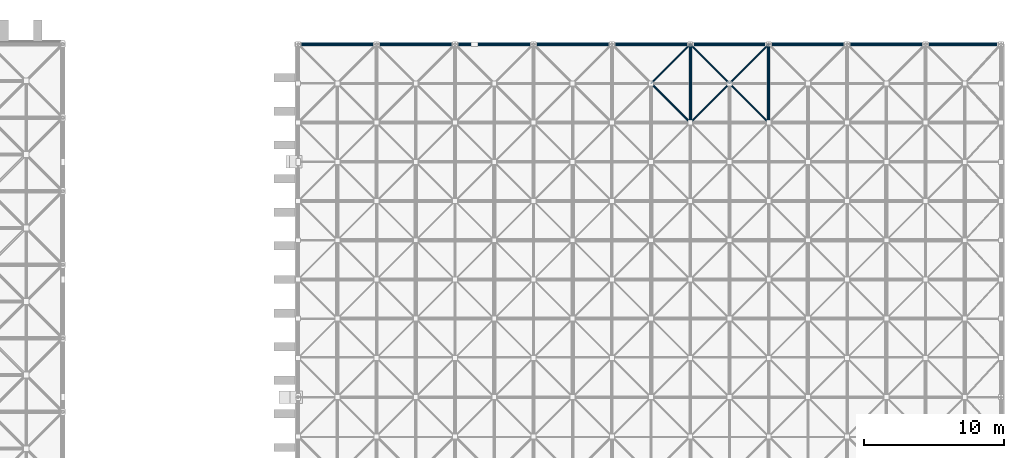
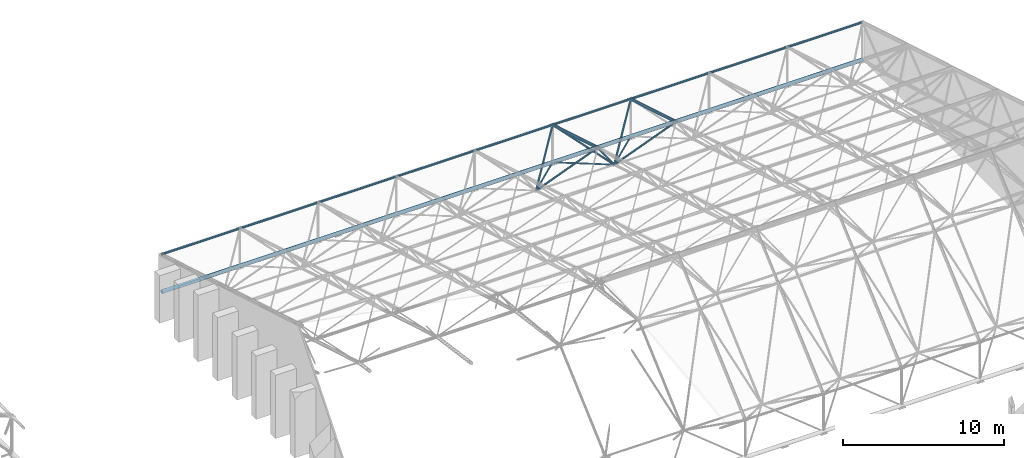
# One storey, part 43 of 100: 13 members.
"""IFC4 building model written with IfcOpenShell, lengths in metres."""

from ifc_helpers import new_model, si_unit, direction, frame, origin, origin_2d, place, context, subcontext, project, spatial, hollow_circle, extrude, material, material_profile, profile_set, type_object, element, save


model = new_model("IFC4")

# Units and contexts
model_context = context("Model", 3, precision=1e-05, world=origin(), true_north=direction((0.0, 1.0)))
body_context = subcontext(model_context, "Body", "Model", "MODEL_VIEW")
ifc_project = project(units=[si_unit("LENGTHUNIT", "METRE"), si_unit("AREAUNIT", "SQUARE_METRE"), si_unit("VOLUMEUNIT", "CUBIC_METRE"), si_unit("PLANEANGLEUNIT", "RADIAN"), si_unit("MASSUNIT", "GRAM", prefix="KILO")], contexts=[model_context])

# Site, building, storey
site_placement = place(None, origin())
site = spatial("IfcSite", under=ifc_project, at=site_placement, CompositionType="ELEMENT")
building_placement = place(site_placement, origin())
building = spatial("IfcBuilding", under=site, at=building_placement, Name="Kiln Court Media Centre", CompositionType="ELEMENT")
storey_placement = place(building_placement, frame((0.0, 0.0, 15.0)))
storey = spatial("IfcBuildingStorey", under=building, at=storey_placement, Name="L03", CompositionType="ELEMENT", Elevation=15.0)

# Members
ifc_material_1 = material(Name="Steel ASTM A500 Gr C", Category="steel")
ifc_material_profile_1 = material_profile(ifc_material_1, hollow_circle(Radius=0.05712890625, WallThickness=0.0048828125, at=origin_2d()), Name="CHS 114.3x5.0")
ifc_profile_set_1 = profile_set([ifc_material_profile_1], Name="Steel ASTM A500 Gr C")
member_type_1 = type_object("IfcMemberType", Name="Steel ASTM A500 Gr C CHS 114.3x5.0 space frame brace", PredefinedType="BRACE", material=ifc_profile_set_1)
member_1_placement = place(storey_placement, frame((145.60009765625, 67.199951171875, 0.16455078125), z_axis=(-0.700650262178, -0.700650262178, 0.134827371927), x_axis=(0.707106781187, -0.707106781187, 0.0)))
element("IfcMember", 1, at=member_1_placement, inside=storey, type_object=member_type_1, Name="V2 roof bearing tie last 6 space frame brace", PredefinedType="BRACE", context=body_context, shape_type="SweptSolid", body=[
    extrude(hollow_circle(Radius=0.05712890625, WallThickness=0.0048828125, at=origin_2d()), origin(), (0.0, 0.0, 1.0), 3.996337890625),
])
member_2_placement = place(storey_placement, frame((145.60009765625, 67.199951171875, 0.16455078125), z_axis=(0.700619159519, -0.700680252923, 0.134833143099), x_axis=(0.70713760873, 0.707075952299, 0.0)))
element("IfcMember", 2, at=member_2_placement, inside=storey, type_object=member_type_1, Name="V2 roof bearing tie last 6 space frame brace", PredefinedType="BRACE", context=body_context, shape_type="SweptSolid", body=[
    extrude(hollow_circle(Radius=0.05712890625, WallThickness=0.0048828125, at=origin_2d()), origin(), (0.0, 0.0, 1.0), 3.99609375),
])
member_3_placement = place(storey_placement, frame((151.199951171875, 67.199951171875, 0.16455078125), z_axis=(-0.700650262178, -0.700650262178, 0.134827371927), x_axis=(0.707106781187, -0.707106781187, 0.0)))
element("IfcMember", 3, at=member_3_placement, inside=storey, type_object=member_type_1, Name="V2 roof bearing tie last 7 space frame brace", PredefinedType="BRACE", context=body_context, shape_type="SweptSolid", body=[
    extrude(hollow_circle(Radius=0.05712890625, WallThickness=0.0048828125, at=origin_2d()), origin(), (0.0, 0.0, 1.0), 3.996337890625),
])
ifc_material_2 = material(Name="Steel ASTM A500 Gr C", Category="steel")
ifc_material_profile_2 = material_profile(ifc_material_2, hollow_circle(Radius=0.06982421875, WallThickness=0.0048828125, at=origin_2d()), Name="CHS 139.7x5.0")
ifc_profile_set_2 = profile_set([ifc_material_profile_2], Name="Steel ASTM A500 Gr C")
member_type_2 = type_object("IfcMemberType", Name="Steel ASTM A500 Gr C CHS 139.7x5.0 space frame brace", PredefinedType="BRACE", material=ifc_profile_set_2)
member_4_placement = place(storey_placement, frame((142.800048828125, 64.39990234375, 0.703369140625), z_axis=(0.499789216589, -0.499745639188, 0.707435534232), x_axis=(0.707075952299, 0.70713760873, 0.0)))
element("IfcMember", 4, at=member_4_placement, inside=storey, type_object=member_type_2, Name="V2 roof diagonal 6-5 space frame brace", PredefinedType="BRACE", context=body_context, shape_type="SweptSolid", body=[
    extrude(hollow_circle(Radius=0.06982421875, WallThickness=0.0048828125, at=origin_2d()), origin(), (0.0, 0.0, 1.0), 5.6025390625),
])
member_5_placement = place(storey_placement, frame((142.800048828125, 64.39990234375, 0.703369140625), z_axis=(0.611675588557, 0.611675588557, 0.501703048353), x_axis=(-0.707106781187, 0.707106781187, 0.0)))
element("IfcMember", 5, at=member_5_placement, inside=storey, type_object=member_type_2, Name="V2 roof diagonal 6-5 space frame brace", PredefinedType="BRACE", context=body_context, shape_type="SweptSolid", body=[
    extrude(hollow_circle(Radius=0.06982421875, WallThickness=0.0048828125, at=origin_2d()), origin(), (0.0, 0.0, 1.0), 4.57763671875),
])
member_6_placement = place(storey_placement, frame((148.39990234375, 64.39990234375, 0.703369140625), z_axis=(-0.499756523287, -0.499756523287, 0.707450941667), x_axis=(0.707106781187, -0.707106781187, 0.0)))
element("IfcMember", 6, at=member_6_placement, inside=storey, type_object=member_type_2, Name="V2 roof diagonal 6-6 space frame brace", PredefinedType="BRACE", context=body_context, shape_type="SweptSolid", body=[
    extrude(hollow_circle(Radius=0.06982421875, WallThickness=0.0048828125, at=origin_2d()), origin(), (0.0, 0.0, 1.0), 5.602294921875),
])
member_7_placement = place(storey_placement, frame((148.39990234375, 64.39990234375, 0.703369140625), z_axis=(-0.611642208339, 0.611695543028, 0.501719415229), x_axis=(-0.70713760873, -0.707075952299, 0.0)))
element("IfcMember", 7, at=member_7_placement, inside=storey, type_object=member_type_2, Name="V2 roof diagonal 6-6 space frame brace", PredefinedType="BRACE", context=body_context, shape_type="SweptSolid", body=[
    extrude(hollow_circle(Radius=0.06982421875, WallThickness=0.0048828125, at=origin_2d()), origin(), (0.0, 0.0, 1.0), 4.57763671875),
])
member_8_placement = place(storey_placement, frame((148.39990234375, 64.39990234375, 0.703369140625), z_axis=(0.499789216589, -0.499745639188, 0.707435534232), x_axis=(0.707075952299, 0.70713760873, 0.0)))
element("IfcMember", 8, at=member_8_placement, inside=storey, type_object=member_type_2, Name="V2 roof diagonal 6-6 space frame brace", PredefinedType="BRACE", context=body_context, shape_type="SweptSolid", body=[
    extrude(hollow_circle(Radius=0.06982421875, WallThickness=0.0048828125, at=origin_2d()), origin(), (0.0, 0.0, 1.0), 5.6025390625),
])
member_9_placement = place(storey_placement, frame((148.39990234375, 64.39990234375, 0.703369140625), z_axis=(0.611675588557, 0.611675588557, 0.501703048353), x_axis=(-0.707106781187, 0.707106781187, 0.0)))
element("IfcMember", 9, at=member_9_placement, inside=storey, type_object=member_type_2, Name="V2 roof diagonal 6-6 space frame brace", PredefinedType="BRACE", context=body_context, shape_type="SweptSolid", body=[
    extrude(hollow_circle(Radius=0.06982421875, WallThickness=0.0048828125, at=origin_2d()), origin(), (0.0, 0.0, 1.0), 4.57763671875),
])
ifc_material_3 = material(Name="Steel ASTM A500 Gr C", Category="steel")
ifc_material_profile_3 = material_profile(ifc_material_3, hollow_circle(Radius=0.084228515625, WallThickness=0.00634765625, at=origin_2d()), Name="CHS 168.3x6.3")
ifc_profile_set_3 = profile_set([ifc_material_profile_3], Name="Steel ASTM A500 Gr C")
member_type_3 = type_object("IfcMemberType", Name="Steel ASTM A500 Gr C CHS 168.3x6.3 space frame chord", PredefinedType="CHORD", material=ifc_profile_set_3)
member_10_placement = place(storey_placement, frame((117.60009765625, 67.199951171875, 3.0), z_axis=(1.0, 0.0, 0.0), x_axis=(0.0, 1.0, 0.0)))
element("IfcMember", 10, at=member_10_placement, inside=storey, type_object=member_type_3, Name="V2 roof top chord along line 8 space frame chord", PredefinedType="CHORD", context=body_context, shape_type="SweptSolid", body=[
    extrude(hollow_circle(Radius=0.084228515625, WallThickness=0.00634765625, at=origin_2d()), origin(), (0.0, 0.0, 1.0), 50.1865234375),
])
ifc_material_4 = material(Name="Steel ASTM A500 Gr C", Category="steel")
ifc_material_profile_4 = material_profile(ifc_material_4, hollow_circle(Radius=0.109619140625, WallThickness=0.008056640625, at=origin_2d()), Name="CHS 219.1x8.0")
ifc_profile_set_4 = profile_set([ifc_material_profile_4], Name="Steel ASTM A500 Gr C")
member_type_4 = type_object("IfcMemberType", Name="Steel ASTM A500 Gr C CHS 219.1x8.0 space frame chord", PredefinedType="CHORD", material=ifc_profile_set_4)
for number, where, z_axis, x_axis, name in (
    (11, (145.60009765625, 61.60009765625, 4.666748046875), (0.0, 0.958446230045, -0.285273244649), (-1.0, 0.0, 0.0), "V2 roof top chord across line 6 space frame chord"),
    (12, (151.199951171875, 61.60009765625, 4.666748046875), (0.0, 0.958446230045, -0.285273244649), (-1.0, 0.0, 0.0), "V2 roof top chord across line 7 space frame chord"),
):
    element("IfcMember", number, at=place(storey_placement, frame(where, z_axis=z_axis, x_axis=x_axis)), inside=storey, type_object=member_type_4, Name=name, PredefinedType="CHORD", context=body_context, shape_type="SweptSolid", body=[
        extrude(hollow_circle(Radius=0.109619140625, WallThickness=0.008056640625, at=origin_2d()), origin(), (0.0, 0.0, 1.0), 5.842529296875),
    ])
ifc_material_5 = material(Name="Steel ASTM A500 Gr C", Category="steel")
ifc_material_profile_5 = material_profile(ifc_material_5, hollow_circle(Radius=0.136474609375, WallThickness=0.010009765625, at=origin_2d()), Name="CHS 273.0x10.0")
ifc_profile_set_5 = profile_set([ifc_material_profile_5], Name="Steel ASTM A500 Gr C")
member_type_5 = type_object("IfcMemberType", Name="Steel ASTM A500 Gr C CHS 273.0x10.0 space frame chord", PredefinedType="CHORD", material=ifc_profile_set_5)
member_11_placement = place(storey_placement, frame((117.60009765625, 67.199951171875, 0.16455078125), z_axis=(1.0, 0.0, 0.0), x_axis=(0.0, 1.0, 0.0)))
element("IfcMember", 13, at=member_11_placement, inside=storey, type_object=member_type_5, Name="V2 roof bearing chord last side space frame chord", PredefinedType="CHORD", context=body_context, shape_type="SweptSolid", body=[
    extrude(hollow_circle(Radius=0.136474609375, WallThickness=0.010009765625, at=origin_2d()), origin(), (0.0, 0.0, 1.0), 50.1865234375),
])

save(model, "model.ifc")
